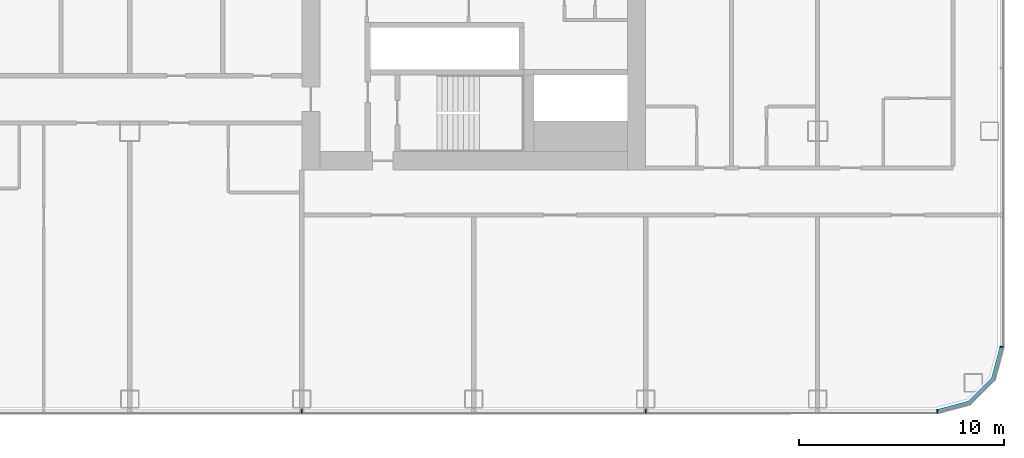
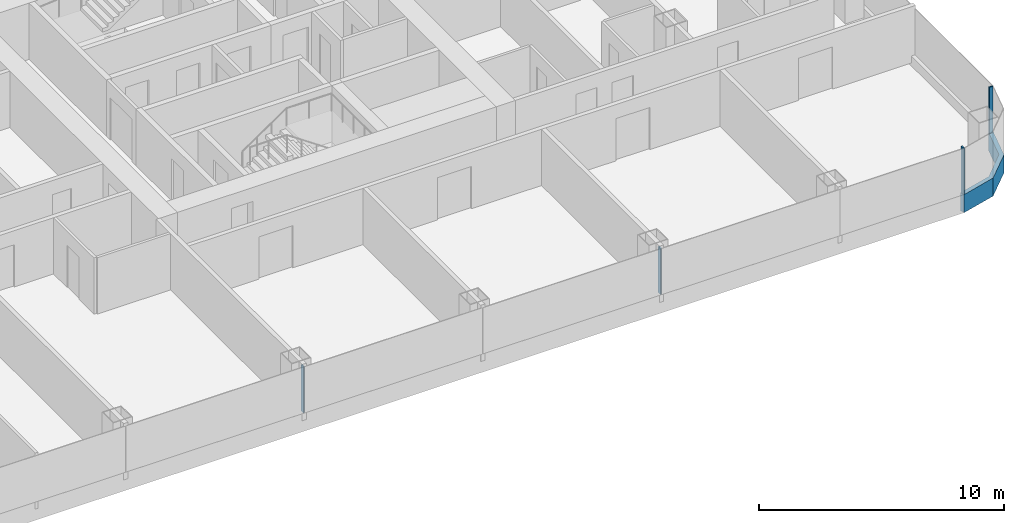
# One storey, part 9 of 28: 5 members, 3 elements without a shape of their own.
"""IFC4 building model written with IfcOpenShell, lengths in metres."""

from ifc_helpers import new_model, si_unit, direction, frame, origin, origin_2d, place, context, subcontext, project, spatial, polyline, rectangle, outline, extrude, material, layer, layer_set, material_profile, profile_set, type_object, element, aggregate, save


model = new_model("IFC4")

# Units and contexts
model_context = context("Model", 3, precision=1e-05, world=origin(), true_north=direction((0.0, 1.0)))
body_context = subcontext(model_context, "Body", "Model", "MODEL_VIEW")
ifc_project = project(units=[si_unit("LENGTHUNIT", "METRE"), si_unit("AREAUNIT", "SQUARE_METRE"), si_unit("VOLUMEUNIT", "CUBIC_METRE"), si_unit("PLANEANGLEUNIT", "RADIAN"), si_unit("MASSUNIT", "GRAM", prefix="KILO")], contexts=[model_context])

# Site, building, storey
site_placement = place(None, origin())
site = spatial("IfcSite", under=ifc_project, at=site_placement, CompositionType="ELEMENT")
building_placement = place(site_placement, origin())
building = spatial("IfcBuilding", under=site, at=building_placement, Name="Hakoniwa Tower and Hamabe Station Hall", CompositionType="ELEMENT")
storey_placement = place(building_placement, frame((0.0, 0.0, 32.60009765625)))
storey = spatial("IfcBuildingStorey", under=building, at=storey_placement, Name="L08", CompositionType="ELEMENT", Elevation=32.60009765625)

# Curtain wall, member
ifc_material_1 = material(Name="Dark low-e laminated glass", Category="glass")
ifc_layer = layer(ifc_material_1, 0.199951171875)
ifc_layer_set = layer_set([ifc_layer], Name="CW-1 UNITISED GUEST")
curtain_wall_type = type_object("IfcCurtainWallType", Name="CW-1 UNITISED GUEST", PredefinedType="NOTDEFINED", material=ifc_layer_set)
curtain_wall_1_placement = place(storey_placement, origin())
curtain_wall_1 = element("IfcCurtainWall", 1, at=curtain_wall_1_placement, inside=storey, type_object=curtain_wall_type, Name="CW-1 curtain wall", PredefinedType="NOTDEFINED")
ifc_material_2 = material(Name="Aluminium 6063-T5 black anodised", Category="aluminium")
ifc_material_profile_1 = material_profile(ifc_material_2, rectangle(XDim=0.199951171875, YDim=0.89990234375, at=origin_2d()), Name="CW SLAB-EDGE BAND 900X200")
ifc_profile_set_1 = profile_set([ifc_material_profile_1], Name="Aluminium 6063-T5 black anodised")
member_type_1 = type_object("IfcMemberType", Name="CW SLAB-EDGE BAND 900X200", PredefinedType="USERDEFINED", material=ifc_profile_set_1)
member_1_placement = place(storey_placement, frame((0.0, 0.0, -0.550048828125)))
member_1 = element("IfcMember", 2, at=member_1_placement, type_object=member_type_1, Name="CW-1 transom", ObjectType="TRANSOM", PredefinedType="USERDEFINED", context=body_context, shape_type="SweptSolid", body=[
    extrude(outline(polyline([(47.839599609375, -20.300048828125), (49.455322265625, -19.866943359375), (50.6669921875, -18.6552734375), (51.10009765625, -17.03955078125), (50.90673828125, -16.98779296875), (50.48779296875, -18.5517578125), (49.351806640625, -19.687744140625), (47.787841796875, -20.10693359375), (47.839599609375, -20.300048828125)])), origin(), (0.0, 0.0, 1.0), 0.89990234375),
])
aggregate(curtain_wall_1, [member_1])

curtain_wall_2_placement = place(storey_placement, origin())
curtain_wall_2 = element("IfcCurtainWall", 3, at=curtain_wall_2_placement, inside=storey, type_object=curtain_wall_type, Name="CW-1 curtain wall", PredefinedType="NOTDEFINED")
ifc_material_3 = material(Name="Aluminium 6063-T5 black anodised", Category="aluminium")
ifc_material_profile_2 = material_profile(ifc_material_3, rectangle(XDim=0.06005859375, YDim=0.179931640625, at=origin_2d()), Name="CW-1 MULLION 60X180")
ifc_profile_set_2 = profile_set([ifc_material_profile_2], Name="Aluminium 6063-T5 black anodised")
member_type_2 = type_object("IfcMemberType", Name="CW-1 MULLION 60X180", PredefinedType="MULLION", material=ifc_profile_set_2)
member_2_placement = place(storey_placement, frame((50.98193359375, -17.03955078125, 0.349853515625), z_axis=(0.0, 0.0, 1.0), x_axis=(0.0, 1.0, 0.0)))
member_2 = element("IfcMember", 4, at=member_2_placement, type_object=member_type_2, Name="CW-1 mullion", PredefinedType="MULLION", context=body_context, shape_type="SweptSolid", body=[
    extrude(rectangle(XDim=0.06005859375, YDim=0.179931640625, at=origin_2d()), origin(), (0.0, 0.0, 1.0), 2.300048828125),
])
aggregate(curtain_wall_2, [member_2])

# Curtain wall, members
curtain_wall_3_placement = place(storey_placement, origin())
curtain_wall_3 = element("IfcCurtainWall", 5, at=curtain_wall_3_placement, inside=storey, type_object=curtain_wall_type, Name="CW-1 curtain wall", PredefinedType="NOTDEFINED")
member_3_placement = place(storey_placement, frame((16.800048828125, -20.181884765625, 0.349853515625), z_axis=(0.0, 0.0, 1.0), x_axis=(1.0, 0.0, 0.0)))
member_3 = element("IfcMember", 6, at=member_3_placement, type_object=member_type_2, Name="CW-1 mullion", PredefinedType="MULLION", context=body_context, shape_type="SweptSolid", body=[
    extrude(rectangle(XDim=0.06005859375, YDim=0.179931640625, at=origin_2d()), origin(), (0.0, 0.0, 1.0), 2.300048828125),
])
member_4_placement = place(storey_placement, frame((33.60009765625, -20.181884765625, 0.349853515625), z_axis=(0.0, 0.0, 1.0), x_axis=(1.0, 0.0, 0.0)))
member_4 = element("IfcMember", 7, at=member_4_placement, type_object=member_type_2, Name="CW-1 mullion", PredefinedType="MULLION", context=body_context, shape_type="SweptSolid", body=[
    extrude(rectangle(XDim=0.06005859375, YDim=0.179931640625, at=origin_2d()), origin(), (0.0, 0.0, 1.0), 2.300048828125),
])
member_5_placement = place(storey_placement, frame((47.839599609375, -20.181884765625, 0.349853515625), z_axis=(0.0, 0.0, 1.0), x_axis=(1.0, 0.0, 0.0)))
member_5 = element("IfcMember", 8, at=member_5_placement, type_object=member_type_2, Name="CW-1 mullion", PredefinedType="MULLION", context=body_context, shape_type="SweptSolid", body=[
    extrude(rectangle(XDim=0.06005859375, YDim=0.179931640625, at=origin_2d()), origin(), (0.0, 0.0, 1.0), 2.300048828125),
])
aggregate(curtain_wall_3, [member_3, member_4, member_5])

save(model, "model.ifc")
